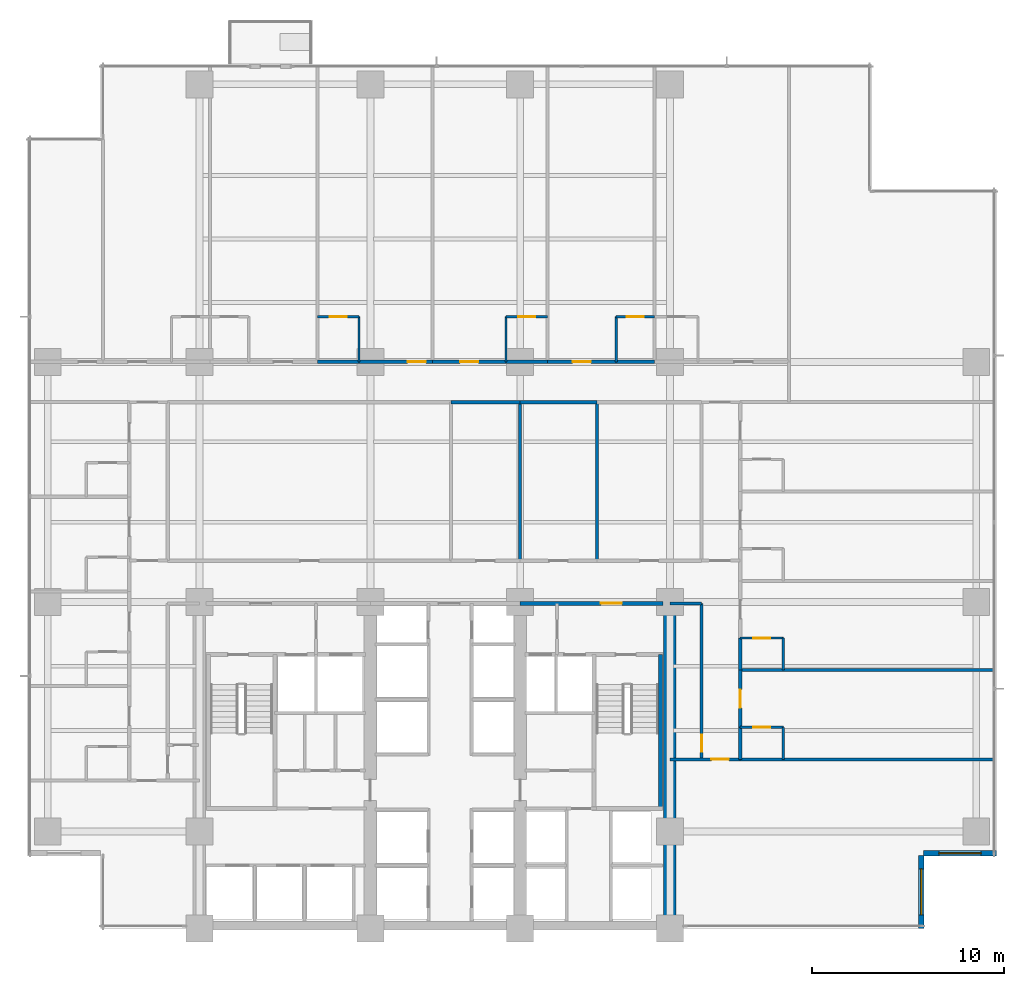
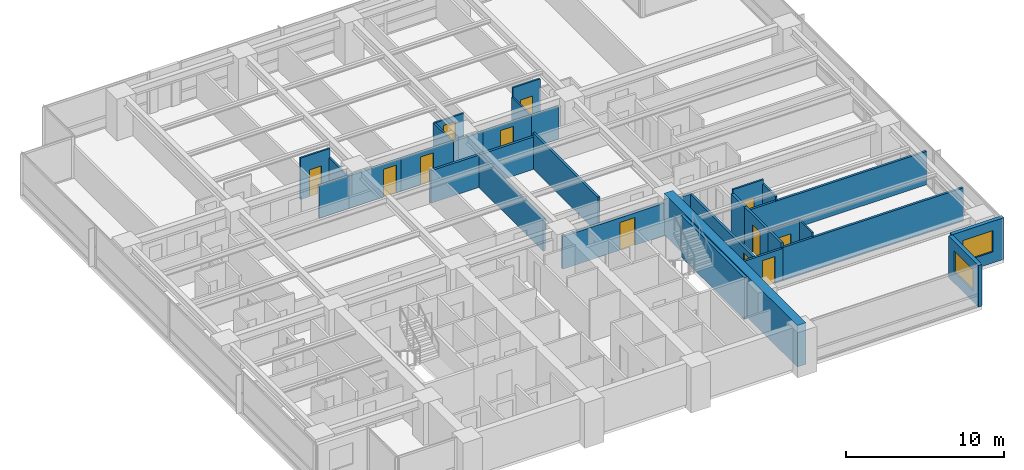
# One storey, part 10 of 16: 33 walls, 12 doors, 2 windows, 14 openings.
"""IFC4 building model written with IfcOpenShell, lengths in metres."""

from ifc_helpers import new_model, si_unit, direction, frame, frame_2d, origin, place, context, subcontext, project, spatial, rectangle, extrude, material, layer, layer_set, type_object, element, fill, save


model = new_model("IFC4")

# Units and contexts
model_context = context("Model", 3, precision=1e-05, world=origin(), true_north=direction((0.0, 1.0)))
body_context = subcontext(model_context, "Body", "Model", "MODEL_VIEW")
ifc_project = project(units=[si_unit("LENGTHUNIT", "METRE"), si_unit("AREAUNIT", "SQUARE_METRE"), si_unit("VOLUMEUNIT", "CUBIC_METRE"), si_unit("PLANEANGLEUNIT", "RADIAN"), si_unit("MASSUNIT", "GRAM", prefix="KILO")], contexts=[model_context])

# Site, building, storey
site_placement = place(None, origin())
site = spatial("IfcSite", under=ifc_project, at=site_placement, CompositionType="ELEMENT")
building_placement = place(site_placement, origin())
building = spatial("IfcBuilding", under=site, at=building_placement, Name="Qalmaran Belvedere Hotel", CompositionType="ELEMENT")
storey_placement = place(building_placement, frame((0.0, 0.0, 57.89990234375)))
storey = spatial("IfcBuildingStorey", under=building, at=storey_placement, Name="L14", CompositionType="ELEMENT", Elevation=57.89990234375)

# Wall
ifc_material_1 = material(Name="Concrete C60/75", Category="concrete")
ifc_layer_1 = layer(ifc_material_1, 0.64990234375, Name="Concrete C60/75")
ifc_layer_set_1 = layer_set([ifc_layer_1], Name="Concrete C60/75")
wall_type_1 = type_object("IfcWallType", Name="WL-CORE-650-C60", PredefinedType="SHEAR", material=ifc_layer_set_1)
wall_1_placement = place(storey_placement, frame((44.800048828125, 3.5, 0.0), z_axis=(0.0, 0.0, 1.0), x_axis=(0.0, 1.0, 0.0)))
element("IfcWall", 1, at=wall_1_placement, inside=storey, type_object=wall_type_1, Name="L14 East Core Shear Wall", PredefinedType="SHEAR", context=body_context, shape_type="SweptSolid", body=[
    extrude(rectangle(XDim=16.89990234375, YDim=0.64990234375, at=frame_2d((8.449951171875, 0.0))), origin(), (0.0, 0.0, 1.0), 3.22021484375),
])

# Wall, opening, window
ifc_material_2 = material(Name="Anodised Bronze Cladding")
ifc_layer_2 = layer(ifc_material_2, 0.280029296875, Name="Anodised Bronze Cladding")
ifc_layer_set_2 = layer_set([ifc_layer_2], Name="Anodised Bronze Cladding")
wall_type_2 = type_object("IfcWallType", Name="WL-EXT-BRNZ-280", PredefinedType="SOLIDWALL", material=ifc_layer_set_2)
wall_2_placement = place(storey_placement, frame((57.8798828125, 3.5, 0.0), z_axis=(0.0, 0.0, 1.0), x_axis=(0.0, 1.0, 0.0)))
wall_2 = element("IfcWall", 2, at=wall_2_placement, inside=storey, type_object=wall_type_2, Name="L14 Corner Notch Wall 1", PredefinedType="SOLIDWALL", context=body_context, shape_type="SweptSolid", body=[
    extrude(rectangle(XDim=3.800048828125, YDim=0.280029296875, at=frame_2d((1.89990234375, 0.0))), origin(), (0.0, 0.0, 1.0), 3.22021484375),
])
opening_1_placement = place(wall_2_placement, frame((0.699951171875, 0.0, 0.85009765625)))
opening_1 = element("IfcOpeningElement", 3, at=opening_1_placement, cuts=wall_2, Name="Opening W-N24", PredefinedType="OPENING", context=body_context, shape_type="SweptSolid", body=[
    extrude(rectangle(XDim=2.39990234375, YDim=1.64990234375, at=frame_2d((1.199951171875, 0.824951171875))), frame((0.0, 0.14990234375, 0.0), z_axis=(0.0, -1.0, 0.0), x_axis=(1.0, 0.0, 0.0)), (0.0, 0.0, 1.0), 0.300048828125),
])
ifc_material_3 = material(Name="Solar-Control Double Glazing", Category="glass")
window_type_1 = type_object("IfcWindowType", Name="WN-NTC-2400X1650", PartitioningType="SINGLE_PANEL", PredefinedType="WINDOW", material=ifc_material_3)
window_1_placement = place(opening_1_placement, origin())
window_1 = element("IfcWindow", 4, at=window_1_placement, inside=storey, type_object=window_type_1, Name="L14 Corner Notch Window 1", OverallHeight=1.64990234375, OverallWidth=2.39990234375, PartitioningType="SINGLE_PANEL", PredefinedType="WINDOW", context=body_context, shape_type="SweptSolid", body=[
    extrude(rectangle(XDim=2.39990234375, YDim=1.64990234375, at=frame_2d((1.199951171875, 0.824951171875))), frame((0.0, 0.030029296875, 0.0), z_axis=(0.0, -1.0, 0.0), x_axis=(1.0, 0.0, 0.0)), (0.0, 0.0, 1.0), 0.06005859375),
])
fill(opening_1, window_1)

wall_3_placement = place(storey_placement, frame((58.0, 7.419921875, 0.0), z_axis=(0.0, 0.0, 1.0), x_axis=(1.0, 0.0, 0.0)))
wall_3 = element("IfcWall", 5, at=wall_3_placement, inside=storey, type_object=wall_type_2, Name="L14 Corner Notch Wall 2", PredefinedType="SOLIDWALL", context=body_context, shape_type="SweptSolid", body=[
    extrude(rectangle(XDim=3.800048828125, YDim=0.280029296875, at=frame_2d((1.89990234375, 0.0))), origin(), (0.0, 0.0, 1.0), 3.22021484375),
])
opening_2_placement = place(wall_3_placement, frame((0.800048828125, 0.0, 0.85009765625)))
opening_2 = element("IfcOpeningElement", 6, at=opening_2_placement, cuts=wall_3, Name="Opening W-N22", PredefinedType="OPENING", context=body_context, shape_type="SweptSolid", body=[
    extrude(rectangle(XDim=2.199951171875, YDim=1.64990234375, at=frame_2d((1.10009765625, 0.824951171875))), frame((0.0, 0.14990234375, 0.0), z_axis=(0.0, -1.0, 0.0), x_axis=(1.0, 0.0, 0.0)), (0.0, 0.0, 1.0), 0.300048828125),
])
window_type_2 = type_object("IfcWindowType", Name="WN-NTC-2200X1650", PartitioningType="SINGLE_PANEL", PredefinedType="WINDOW", material=ifc_material_3)
window_2_placement = place(opening_2_placement, origin())
window_2 = element("IfcWindow", 7, at=window_2_placement, inside=storey, type_object=window_type_2, Name="L14 Corner Notch Window 2", OverallHeight=1.64990234375, OverallWidth=2.199951171875, PartitioningType="SINGLE_PANEL", PredefinedType="WINDOW", context=body_context, shape_type="SweptSolid", body=[
    extrude(rectangle(XDim=2.199951171875, YDim=1.64990234375, at=frame_2d((1.10009765625, 0.824951171875))), frame((0.0, 0.030029296875, 0.0), z_axis=(0.0, -1.0, 0.0), x_axis=(1.0, 0.0, 0.0)), (0.0, 0.0, 1.0), 0.06005859375),
])
fill(opening_2, window_2)

# Wall, opening, door
ifc_material_4 = material(Name="Moisture-Resistant Gypsum")
ifc_layer_3 = layer(ifc_material_4, 0.1201171875, Name="Moisture-Resistant Gypsum")
ifc_layer_set_3 = layer_set([ifc_layer_3], Name="Moisture-Resistant Gypsum")
wall_type_3 = type_object("IfcWallType", Name="WL-INT-120-BATH", PredefinedType="PARTITIONING", material=ifc_layer_set_3)
wall_4_placement = place(storey_placement, frame((26.44482421875, 35.35009765625, 0.0), z_axis=(0.0, 0.0, 1.0), x_axis=(1.0, 0.0, 0.0)))
wall_4 = element("IfcWall", 8, at=wall_4_placement, inside=storey, type_object=wall_type_3, Name="L14 Partition WL-L14-NBN02", PredefinedType="PARTITIONING", context=body_context, shape_type="SweptSolid", body=[
    extrude(rectangle(XDim=2.159912109375, YDim=0.1201171875, at=frame_2d((1.080078125, 0.0))), origin(), (0.0, 0.0, 1.0), 3.22021484375),
])
opening_3_placement = place(wall_4_placement, frame((1.519775390625, 0.0, 0.0), z_axis=(0.0, 0.0, 1.0), x_axis=(-1.0, 0.0, 0.0)))
opening_3 = element("IfcOpeningElement", 9, at=opening_3_placement, cuts=wall_4, Name="Opening D-BATH", PredefinedType="OPENING", context=body_context, shape_type="SweptSolid", body=[
    extrude(rectangle(XDim=0.8798828125, YDim=2.080078125, at=frame_2d((0.43994140625, 1.0400390625))), frame((0.0, 0.070068359375, 0.0), z_axis=(0.0, -1.0, 0.0), x_axis=(1.0, 0.0, 0.0)), (0.0, 0.0, 1.0), 0.14013671875),
])
ifc_material_5 = material(Name="Engineered Oak Veneer")
door_type_1 = type_object("IfcDoorType", Name="DR-INT-BATH-880X2080", OperationType="NOTDEFINED", PredefinedType="DOOR", material=ifc_material_5)
door_1_placement = place(opening_3_placement, origin())
door_1 = element("IfcDoor", 10, at=door_1_placement, inside=storey, type_object=door_type_1, Name="L14 Ensuite Bathroom Door N03", OperationType="SINGLE_SWING_LEFT", OverallHeight=2.080078125, OverallWidth=0.8798828125, PredefinedType="DOOR", context=body_context, shape_type="SweptSolid", body=[
    extrude(rectangle(XDim=0.8798828125, YDim=2.080078125, at=frame_2d((0.43994140625, 1.0400390625))), frame((0.0, 0.02490234375, 0.0), z_axis=(0.0, -1.0, 0.0), x_axis=(1.0, 0.0, 0.0)), (0.0, 0.0, 1.0), 0.050048828125),
])
fill(opening_3, door_1)

# Wall
wall_5_placement = place(storey_placement, frame((28.604736328125, 33.0, 0.0), z_axis=(0.0, 0.0, 1.0), x_axis=(0.0, 1.0, 0.0)))
element("IfcWall", 11, at=wall_5_placement, inside=storey, type_object=wall_type_3, Name="L14 Partition WL-L14-NBS02", PredefinedType="PARTITIONING", context=body_context, shape_type="SweptSolid", body=[
    extrude(rectangle(XDim=2.35009765625, YDim=0.1201171875, at=frame_2d((1.175048828125, 0.0))), origin(), (0.0, 0.0, 1.0), 2.510009765625),
])

# Wall, opening, door
wall_6_placement = place(storey_placement, frame((36.2578125, 35.35009765625, 0.0), z_axis=(0.0, 0.0, 1.0), x_axis=(1.0, 0.0, 0.0)))
wall_6 = element("IfcWall", 12, at=wall_6_placement, inside=storey, type_object=wall_type_3, Name="L14 Partition WL-L14-NBN03", PredefinedType="PARTITIONING", context=body_context, shape_type="SweptSolid", body=[
    extrude(rectangle(XDim=2.159912109375, YDim=0.1201171875, at=frame_2d((1.080078125, 0.0))), origin(), (0.0, 0.0, 1.0), 2.510009765625),
])
opening_4_placement = place(wall_6_placement, frame((1.519775390625, 0.0, 0.0), z_axis=(0.0, 0.0, 1.0), x_axis=(-1.0, 0.0, 0.0)))
opening_4 = element("IfcOpeningElement", 13, at=opening_4_placement, cuts=wall_6, Name="Opening D-BATH", PredefinedType="OPENING", context=body_context, shape_type="SweptSolid", body=[
    extrude(rectangle(XDim=0.8798828125, YDim=2.080078125, at=frame_2d((0.43994140625, 1.0400390625))), frame((0.0, 0.070068359375, 0.0), z_axis=(0.0, -1.0, 0.0), x_axis=(1.0, 0.0, 0.0)), (0.0, 0.0, 1.0), 0.14013671875),
])
door_2_placement = place(opening_4_placement, origin())
door_2 = element("IfcDoor", 14, at=door_2_placement, inside=storey, type_object=door_type_1, Name="L14 Ensuite Bathroom Door N04", OperationType="SINGLE_SWING_LEFT", OverallHeight=2.080078125, OverallWidth=0.8798828125, PredefinedType="DOOR", context=body_context, shape_type="SweptSolid", body=[
    extrude(rectangle(XDim=0.8798828125, YDim=2.080078125, at=frame_2d((0.43994140625, 1.0400390625))), frame((0.0, 0.02490234375, 0.0), z_axis=(0.0, -1.0, 0.0), x_axis=(1.0, 0.0, 0.0)), (0.0, 0.0, 1.0), 0.050048828125),
])
fill(opening_4, door_2)

# Wall
wall_7_placement = place(storey_placement, frame((36.2578125, 33.0, 0.0), z_axis=(0.0, 0.0, 1.0), x_axis=(0.0, 1.0, 0.0)))
element("IfcWall", 15, at=wall_7_placement, inside=storey, type_object=wall_type_3, Name="L14 Partition WL-L14-NBS03", PredefinedType="PARTITIONING", context=body_context, shape_type="SweptSolid", body=[
    extrude(rectangle(XDim=2.35009765625, YDim=0.1201171875, at=frame_2d((1.175048828125, 0.0))), origin(), (0.0, 0.0, 1.0), 2.510009765625),
])

# Wall, opening, door
wall_8_placement = place(storey_placement, frame((41.9951171875, 35.35009765625, 0.0), z_axis=(0.0, 0.0, 1.0), x_axis=(1.0, 0.0, 0.0)))
wall_8 = element("IfcWall", 16, at=wall_8_placement, inside=storey, type_object=wall_type_3, Name="L14 Partition WL-L14-NBN04", PredefinedType="PARTITIONING", context=body_context, shape_type="SweptSolid", body=[
    extrude(rectangle(XDim=2.010009765625, YDim=0.1201171875, at=frame_2d((1.0048828125, 0.0))), origin(), (0.0, 0.0, 1.0), 3.22021484375),
])
opening_5_placement = place(wall_8_placement, frame((1.44482421875, 0.0, 0.0), z_axis=(0.0, 0.0, 1.0), x_axis=(-1.0, 0.0, 0.0)))
opening_5 = element("IfcOpeningElement", 17, at=opening_5_placement, cuts=wall_8, Name="Opening D-BATH", PredefinedType="OPENING", context=body_context, shape_type="SweptSolid", body=[
    extrude(rectangle(XDim=0.8798828125, YDim=2.080078125, at=frame_2d((0.43994140625, 1.0400390625))), frame((0.0, 0.070068359375, 0.0), z_axis=(0.0, -1.0, 0.0), x_axis=(1.0, 0.0, 0.0)), (0.0, 0.0, 1.0), 0.14013671875),
])
door_3_placement = place(opening_5_placement, origin())
door_3 = element("IfcDoor", 18, at=door_3_placement, inside=storey, type_object=door_type_1, Name="L14 Ensuite Bathroom Door N05", OperationType="SINGLE_SWING_LEFT", OverallHeight=2.080078125, OverallWidth=0.8798828125, PredefinedType="DOOR", context=body_context, shape_type="SweptSolid", body=[
    extrude(rectangle(XDim=0.8798828125, YDim=2.080078125, at=frame_2d((0.43994140625, 1.0400390625))), frame((0.0, 0.02490234375, 0.0), z_axis=(0.0, -1.0, 0.0), x_axis=(1.0, 0.0, 0.0)), (0.0, 0.0, 1.0), 0.050048828125),
])
fill(opening_5, door_3)

# Wall
wall_9_placement = place(storey_placement, frame((41.9951171875, 33.0, 0.0), z_axis=(0.0, 0.0, 1.0), x_axis=(0.0, 1.0, 0.0)))
element("IfcWall", 19, at=wall_9_placement, inside=storey, type_object=wall_type_3, Name="L14 Partition WL-L14-NBS04", PredefinedType="PARTITIONING", context=body_context, shape_type="SweptSolid", body=[
    extrude(rectangle(XDim=2.35009765625, YDim=0.1201171875, at=frame_2d((1.175048828125, 0.0))), origin(), (0.0, 0.0, 1.0), 2.510009765625),
])

# Wall, opening, door
wall_10_placement = place(storey_placement, frame((48.449951171875, 13.969970703125, 0.0), z_axis=(0.0, 0.0, 1.0), x_axis=(1.0, 0.0, 0.0)))
wall_10 = element("IfcWall", 20, at=wall_10_placement, inside=storey, type_object=wall_type_3, Name="L14 Partition WL-L14-EBN00", PredefinedType="PARTITIONING", context=body_context, shape_type="SweptSolid", body=[
    extrude(rectangle(XDim=2.25, YDim=0.1201171875, at=frame_2d((1.125, 0.0))), origin(), (0.0, 0.0, 1.0), 2.902099609375),
])
opening_6_placement = place(wall_10_placement, frame((1.56494140625, 0.0, 0.0), z_axis=(0.0, 0.0, 1.0), x_axis=(-1.0, 0.0, 0.0)))
opening_6 = element("IfcOpeningElement", 21, at=opening_6_placement, cuts=wall_10, Name="Opening D-BATH", PredefinedType="OPENING", context=body_context, shape_type="SweptSolid", body=[
    extrude(rectangle(XDim=0.8798828125, YDim=2.080078125, at=frame_2d((0.43994140625, 1.0400390625))), frame((0.0, 0.070068359375, 0.0), z_axis=(0.0, -1.0, 0.0), x_axis=(1.0, 0.0, 0.0)), (0.0, 0.0, 1.0), 0.14013671875),
])
door_4_placement = place(opening_6_placement, origin())
door_4 = element("IfcDoor", 22, at=door_4_placement, inside=storey, type_object=door_type_1, Name="L14 E Ensuite Door 01", OperationType="SINGLE_SWING_LEFT", OverallHeight=2.080078125, OverallWidth=0.8798828125, PredefinedType="DOOR", context=body_context, shape_type="SweptSolid", body=[
    extrude(rectangle(XDim=0.8798828125, YDim=2.080078125, at=frame_2d((0.43994140625, 1.0400390625))), frame((0.0, 0.02490234375, 0.0), z_axis=(0.0, -1.0, 0.0), x_axis=(1.0, 0.0, 0.0)), (0.0, 0.0, 1.0), 0.050048828125),
])
fill(opening_6, door_4)

# Wall
wall_11_placement = place(storey_placement, frame((50.699951171875, 12.300048828125, 0.0), z_axis=(0.0, 0.0, 1.0), x_axis=(0.0, 1.0, 0.0)))
element("IfcWall", 23, at=wall_11_placement, inside=storey, type_object=wall_type_3, Name="L14 Partition WL-L14-EBS00", PredefinedType="PARTITIONING", context=body_context, shape_type="SweptSolid", body=[
    extrude(rectangle(XDim=1.669921875, YDim=0.1201171875, at=frame_2d((0.8349609375, 0.0))), origin(), (0.0, 0.0, 1.0), 2.902099609375),
])

# Wall, opening, door
wall_12_placement = place(storey_placement, frame((48.449951171875, 18.6201171875, 0.0), z_axis=(0.0, 0.0, 1.0), x_axis=(1.0, 0.0, 0.0)))
wall_12 = element("IfcWall", 24, at=wall_12_placement, inside=storey, type_object=wall_type_3, Name="L14 Partition WL-L14-EBN01", PredefinedType="PARTITIONING", context=body_context, shape_type="SweptSolid", body=[
    extrude(rectangle(XDim=2.25, YDim=0.1201171875, at=frame_2d((1.125, 0.0))), origin(), (0.0, 0.0, 1.0), 3.22021484375),
])
opening_7_placement = place(wall_12_placement, frame((1.56494140625, 0.0, 0.0), z_axis=(0.0, 0.0, 1.0), x_axis=(-1.0, 0.0, 0.0)))
opening_7 = element("IfcOpeningElement", 25, at=opening_7_placement, cuts=wall_12, Name="Opening D-BATH", PredefinedType="OPENING", context=body_context, shape_type="SweptSolid", body=[
    extrude(rectangle(XDim=0.8798828125, YDim=2.080078125, at=frame_2d((0.43994140625, 1.0400390625))), frame((0.0, 0.070068359375, 0.0), z_axis=(0.0, -1.0, 0.0), x_axis=(1.0, 0.0, 0.0)), (0.0, 0.0, 1.0), 0.14013671875),
])
door_5_placement = place(opening_7_placement, origin())
door_5 = element("IfcDoor", 26, at=door_5_placement, inside=storey, type_object=door_type_1, Name="L14 E Ensuite Door 02", OperationType="SINGLE_SWING_LEFT", OverallHeight=2.080078125, OverallWidth=0.8798828125, PredefinedType="DOOR", context=body_context, shape_type="SweptSolid", body=[
    extrude(rectangle(XDim=0.8798828125, YDim=2.080078125, at=frame_2d((0.43994140625, 1.0400390625))), frame((0.0, 0.02490234375, 0.0), z_axis=(0.0, -1.0, 0.0), x_axis=(1.0, 0.0, 0.0)), (0.0, 0.0, 1.0), 0.050048828125),
])
fill(opening_7, door_5)

# Wall
wall_13_placement = place(storey_placement, frame((50.699951171875, 16.949951171875, 0.0), z_axis=(0.0, 0.0, 1.0), x_axis=(0.0, 1.0, 0.0)))
element("IfcWall", 27, at=wall_13_placement, inside=storey, type_object=wall_type_3, Name="L14 Partition WL-L14-EBS01", PredefinedType="PARTITIONING", context=body_context, shape_type="SweptSolid", body=[
    extrude(rectangle(XDim=1.670166015625, YDim=0.1201171875, at=frame_2d((0.8349609375, 0.0))), origin(), (0.0, 0.0, 1.0), 2.902099609375),
])

# Wall, opening, door
ifc_material_6 = material(Name="Gypsum Stud Partition")
ifc_layer_4 = layer(ifc_material_6, 0.159912109375, Name="Gypsum Stud Partition")
ifc_layer_set_4 = layer_set([ifc_layer_4], Name="Gypsum Stud Partition")
wall_type_4 = type_object("IfcWallType", Name="WL-INT-160-EI60", PredefinedType="PARTITIONING", material=ifc_layer_set_4)
wall_14_placement = place(storey_placement, frame((44.800048828125, 12.300048828125, 0.0), z_axis=(0.0, 0.0, 1.0), x_axis=(1.0, 0.0, 0.0)))
wall_14 = element("IfcWall", 28, at=wall_14_placement, inside=storey, type_object=wall_type_4, Name="L14 Partition WL-L14-SERL", PredefinedType="PARTITIONING", context=body_context, shape_type="SweptSolid", body=[
    extrude(rectangle(XDim=3.64990234375, YDim=0.159912109375, at=frame_2d((1.824951171875, 0.0))), origin(), (0.0, 0.0, 1.0), 2.510009765625),
])
opening_8_placement = place(wall_14_placement, frame((3.06982421875, 0.0, 0.0), z_axis=(0.0, 0.0, 1.0), x_axis=(-1.0, 0.0, 0.0)))
opening_8 = element("IfcOpeningElement", 29, at=opening_8_placement, cuts=wall_14, Name="Opening FD60S1", PredefinedType="OPENING", context=body_context, shape_type="SweptSolid", body=[
    extrude(rectangle(XDim=0.919921875, YDim=2.080078125, at=frame_2d((0.4599609375, 1.0400390625))), frame((0.0, 0.08984375, 0.0), z_axis=(0.0, -1.0, 0.0), x_axis=(1.0, 0.0, 0.0)), (0.0, 0.0, 1.0), 0.179931640625),
])
door_type_2 = type_object("IfcDoorType", Name="DR-FD60S-920X2080", OperationType="NOTDEFINED", PredefinedType="DOOR", material=ifc_material_5)
door_6_placement = place(opening_8_placement, origin())
door_6 = element("IfcDoor", 30, at=door_6_placement, inside=storey, type_object=door_type_2, Name="L14 SE Lounge Door", OperationType="SINGLE_SWING_RIGHT", OverallHeight=2.080078125, OverallWidth=0.919921875, PredefinedType="DOOR", context=body_context, shape_type="SweptSolid", body=[
    extrude(rectangle(XDim=0.919921875, YDim=2.080078125, at=frame_2d((0.4599609375, 1.0400390625))), frame((0.0, 0.02490234375, 0.0), z_axis=(0.0, -1.0, 0.0), x_axis=(1.0, 0.0, 0.0)), (0.0, 0.0, 1.0), 0.050048828125),
])
fill(opening_8, door_6)

wall_15_placement = place(storey_placement, frame((46.449951171875, 12.300048828125, 0.0), z_axis=(0.0, 0.0, 1.0), x_axis=(0.0, 1.0, 0.0)))
wall_15 = element("IfcWall", 31, at=wall_15_placement, inside=storey, type_object=wall_type_4, Name="L14 Partition WL-L14-ECL", PredefinedType="PARTITIONING", context=body_context, shape_type="SweptSolid", body=[
    extrude(rectangle(XDim=8.119873046875, YDim=0.159912109375, at=frame_2d((4.06005859375, 0.0))), origin(), (0.0, 0.0, 1.0), 2.510009765625),
])
opening_9_placement = place(wall_15_placement, frame((0.39990234375, 0.0, 0.0)))
opening_9 = element("IfcOpeningElement", 32, at=opening_9_placement, cuts=wall_15, Name="Opening FD60B", PredefinedType="OPENING", context=body_context, shape_type="SweptSolid", body=[
    extrude(rectangle(XDim=0.8798828125, YDim=2.080078125, at=frame_2d((0.43994140625, 1.0400390625))), frame((0.0, 0.08984375, 0.0), z_axis=(0.0, -1.0, 0.0), x_axis=(1.0, 0.0, 0.0)), (0.0, 0.0, 1.0), 0.179931640625),
])
ifc_material_7 = material(Name="Steel S355JR", Category="steel")
door_type_3 = type_object("IfcDoorType", Name="DR-FD60B-880X2080", OperationType="NOTDEFINED", PredefinedType="DOOR", material=ifc_material_7)
door_7_placement = place(opening_9_placement, origin())
door_7 = element("IfcDoor", 33, at=door_7_placement, inside=storey, type_object=door_type_3, Name="L14 East Closet Door", OperationType="SINGLE_SWING_RIGHT", OverallHeight=2.080078125, OverallWidth=0.8798828125, PredefinedType="DOOR", context=body_context, shape_type="SweptSolid", body=[
    extrude(rectangle(XDim=0.8798828125, YDim=2.080078125, at=frame_2d((0.43994140625, 1.0400390625))), frame((0.0, 0.02490234375, 0.0), z_axis=(0.0, -1.0, 0.0), x_axis=(1.0, 0.0, 0.0)), (0.0, 0.0, 1.0), 0.050048828125),
])
fill(opening_9, door_7)

# Walls
wall_16_placement = place(storey_placement, frame((44.800048828125, 20.419921875, 0.0), z_axis=(0.0, 0.0, 1.0), x_axis=(1.0, 0.0, 0.0)))
element("IfcWall", 34, at=wall_16_placement, inside=storey, type_object=wall_type_4, Name="L14 Partition WL-L14-ECLN", PredefinedType="PARTITIONING", context=body_context, shape_type="SweptSolid", body=[
    extrude(rectangle(XDim=1.64990234375, YDim=0.159912109375, at=frame_2d((0.824951171875, 0.0))), origin(), (0.0, 0.0, 1.0), 2.510009765625),
])
wall_17_placement = place(storey_placement, frame((37.0, 22.64990234375, 0.0), z_axis=(0.0, 0.0, 1.0), x_axis=(0.0, 1.0, 0.0)))
element("IfcWall", 35, at=wall_17_placement, inside=storey, type_object=wall_type_4, Name="L14 Partition WL-L14-MIDVR2", PredefinedType="PARTITIONING", context=body_context, shape_type="SweptSolid", body=[
    extrude(rectangle(XDim=8.25, YDim=0.159912109375, at=frame_2d((4.125, 0.0))), origin(), (0.0, 0.0, 1.0), 2.510009765625),
])
wall_18_placement = place(storey_placement, frame((41.0, 22.64990234375, 0.0), z_axis=(0.0, 0.0, 1.0), x_axis=(0.0, 1.0, 0.0)))
element("IfcWall", 36, at=wall_18_placement, inside=storey, type_object=wall_type_4, Name="L14 Partition WL-L14-MIDVR3", PredefinedType="PARTITIONING", context=body_context, shape_type="SweptSolid", body=[
    extrude(rectangle(XDim=8.25, YDim=0.159912109375, at=frame_2d((4.125, 0.0))), origin(), (0.0, 0.0, 1.0), 2.7880859375),
])
for number, where, z_axis, x_axis, name in (
    (37, (48.449951171875, 12.300048828125, 0.0), (0.0, 0.0, 1.0), (1.0, 0.0, 0.0), "L14 Partition WL-L14-EBOT"),
    (38, (48.449951171875, 16.949951171875, 0.0), (0.0, 0.0, 1.0), (1.0, 0.0, 0.0), "L14 Partition WL-L14-EU00"),
):
    element("IfcWall", number, at=place(storey_placement, frame(where, z_axis=z_axis, x_axis=x_axis)), inside=storey, type_object=wall_type_4, Name=name, PredefinedType="PARTITIONING", context=body_context, shape_type="SweptSolid", body=[
        extrude(rectangle(XDim=13.22998046875, YDim=0.159912109375, at=frame_2d((6.614990234375, 0.0))), origin(), (0.0, 0.0, 1.0), 2.5830078125),
    ])
ifc_layer_5 = layer(ifc_material_6, 0.179931640625, Name="Gypsum Stud Partition")
ifc_layer_set_5 = layer_set([ifc_layer_5], Name="Gypsum Stud Partition")
wall_type_5 = type_object("IfcWallType", Name="WL-INT-180-EI60", PredefinedType="PARTITIONING", material=ifc_layer_set_5)
wall_19_placement = place(storey_placement, frame((33.39990234375, 30.89990234375, 0.0), z_axis=(0.0, 0.0, 1.0), x_axis=(1.0, 0.0, 0.0)))
element("IfcWall", 39, at=wall_19_placement, inside=storey, type_object=wall_type_5, Name="L14 Partition WL-L14-MIDO2", PredefinedType="PARTITIONING", context=body_context, shape_type="SweptSolid", body=[
    extrude(rectangle(XDim=3.60009765625, YDim=0.179931640625, at=frame_2d((1.800048828125, 0.0))), origin(), (0.0, 0.0, 1.0), 2.510009765625),
])
wall_20_placement = place(storey_placement, frame((37.0, 30.89990234375, 0.0), z_axis=(0.0, 0.0, 1.0), x_axis=(1.0, 0.0, 0.0)))
element("IfcWall", 40, at=wall_20_placement, inside=storey, type_object=wall_type_5, Name="L14 Partition WL-L14-MIDO3", PredefinedType="PARTITIONING", context=body_context, shape_type="SweptSolid", body=[
    extrude(rectangle(XDim=4.0, YDim=0.179931640625, at=frame_2d((2.0, 0.0))), origin(), (0.0, 0.0, 1.0), 2.510009765625),
])
wall_21_placement = place(storey_placement, frame((26.44482421875, 33.0, 0.0), z_axis=(0.0, 0.0, 1.0), x_axis=(1.0, 0.0, 0.0)))
element("IfcWall", 41, at=wall_21_placement, inside=storey, type_object=wall_type_5, Name="L14 Partition WL-L14-NBC02", PredefinedType="PARTITIONING", context=body_context, shape_type="SweptSolid", body=[
    extrude(rectangle(XDim=2.159912109375, YDim=0.179931640625, at=frame_2d((1.080078125, 0.0))), origin(), (0.0, 0.0, 1.0), 2.510009765625),
])

# Wall, opening, door
wall_22_placement = place(storey_placement, frame((28.604736328125, 33.0, 0.0), z_axis=(0.0, 0.0, 1.0), x_axis=(1.0, 0.0, 0.0)))
wall_22 = element("IfcWall", 42, at=wall_22_placement, inside=storey, type_object=wall_type_5, Name="L14 Partition WL-L14-NEC02", PredefinedType="PARTITIONING", context=body_context, shape_type="SweptSolid", body=[
    extrude(rectangle(XDim=3.82666015625, YDim=0.179931640625, at=frame_2d((1.913330078125, 0.0))), origin(), (0.0, 0.0, 1.0), 2.510009765625),
])
opening_10_placement = place(wall_22_placement, frame((2.54052734375, 0.0, 0.0)))
opening_10 = element("IfcOpeningElement", 43, at=opening_10_placement, cuts=wall_22, Name="Opening FD60", PredefinedType="OPENING", context=body_context, shape_type="SweptSolid", body=[
    extrude(rectangle(XDim=0.949951171875, YDim=2.14990234375, at=frame_2d((0.47509765625, 1.074951171875))), frame((0.0, 0.10009765625, 0.0), z_axis=(0.0, -1.0, 0.0), x_axis=(1.0, 0.0, 0.0)), (0.0, 0.0, 1.0), 0.199951171875),
])
door_type_4 = type_object("IfcDoorType", Name="DR-FD60-950X2150", OperationType="NOTDEFINED", PredefinedType="DOOR", material=ifc_material_5)
door_8_placement = place(opening_10_placement, origin())
door_8 = element("IfcDoor", 44, at=door_8_placement, inside=storey, type_object=door_type_4, Name="L14 Guest Entrance Door N03", OperationType="SINGLE_SWING_RIGHT", OverallHeight=2.14990234375, OverallWidth=0.949951171875, PredefinedType="DOOR", context=body_context, shape_type="SweptSolid", body=[
    extrude(rectangle(XDim=0.949951171875, YDim=2.14990234375, at=frame_2d((0.47509765625, 1.074951171875))), frame((0.0, 0.02490234375, 0.0), z_axis=(0.0, -1.0, 0.0), x_axis=(1.0, 0.0, 0.0)), (0.0, 0.0, 1.0), 0.050048828125),
])
fill(opening_10, door_8)

# Wall
wall_23_placement = place(storey_placement, frame((36.2578125, 33.0, 0.0), z_axis=(0.0, 0.0, 1.0), x_axis=(1.0, 0.0, 0.0)))
element("IfcWall", 45, at=wall_23_placement, inside=storey, type_object=wall_type_5, Name="L14 Partition WL-L14-NBC03", PredefinedType="PARTITIONING", context=body_context, shape_type="SweptSolid", body=[
    extrude(rectangle(XDim=2.159912109375, YDim=0.179931640625, at=frame_2d((1.080078125, 0.0))), origin(), (0.0, 0.0, 1.0), 2.510009765625),
])

# Wall, opening, door
wall_24_placement = place(storey_placement, frame((32.431396484375, 33.0, 0.0), z_axis=(0.0, 0.0, 1.0), x_axis=(1.0, 0.0, 0.0)))
wall_24 = element("IfcWall", 46, at=wall_24_placement, inside=storey, type_object=wall_type_5, Name="L14 Partition WL-L14-NEC03", PredefinedType="PARTITIONING", context=body_context, shape_type="SweptSolid", body=[
    extrude(rectangle(XDim=3.826416015625, YDim=0.179931640625, at=frame_2d((1.9130859375, 0.0))), origin(), (0.0, 0.0, 1.0), 2.510009765625),
])
opening_11_placement = place(wall_24_placement, frame((1.438232421875, 0.0, 0.0)))
opening_11 = element("IfcOpeningElement", 47, at=opening_11_placement, cuts=wall_24, Name="Opening FD60", PredefinedType="OPENING", context=body_context, shape_type="SweptSolid", body=[
    extrude(rectangle(XDim=0.949951171875, YDim=2.14990234375, at=frame_2d((0.47509765625, 1.074951171875))), frame((0.0, 0.10009765625, 0.0), z_axis=(0.0, -1.0, 0.0), x_axis=(1.0, 0.0, 0.0)), (0.0, 0.0, 1.0), 0.199951171875),
])
door_9_placement = place(opening_11_placement, origin())
door_9 = element("IfcDoor", 48, at=door_9_placement, inside=storey, type_object=door_type_4, Name="L14 Guest Entrance Door N04", OperationType="SINGLE_SWING_RIGHT", OverallHeight=2.14990234375, OverallWidth=0.949951171875, PredefinedType="DOOR", context=body_context, shape_type="SweptSolid", body=[
    extrude(rectangle(XDim=0.949951171875, YDim=2.14990234375, at=frame_2d((0.47509765625, 1.074951171875))), frame((0.0, 0.02490234375, 0.0), z_axis=(0.0, -1.0, 0.0), x_axis=(1.0, 0.0, 0.0)), (0.0, 0.0, 1.0), 0.050048828125),
])
fill(opening_11, door_9)

# Wall
wall_25_placement = place(storey_placement, frame((41.9951171875, 33.0, 0.0), z_axis=(0.0, 0.0, 1.0), x_axis=(1.0, 0.0, 0.0)))
element("IfcWall", 49, at=wall_25_placement, inside=storey, type_object=wall_type_5, Name="L14 Partition WL-L14-NBC04", PredefinedType="PARTITIONING", context=body_context, shape_type="SweptSolid", body=[
    extrude(rectangle(XDim=2.010009765625, YDim=0.179931640625, at=frame_2d((1.0048828125, 0.0))), origin(), (0.0, 0.0, 1.0), 2.510009765625),
])

# Wall, opening, door
wall_26_placement = place(storey_placement, frame((38.417724609375, 33.0, 0.0), z_axis=(0.0, 0.0, 1.0), x_axis=(1.0, 0.0, 0.0)))
wall_26 = element("IfcWall", 50, at=wall_26_placement, inside=storey, type_object=wall_type_5, Name="L14 Partition WL-L14-NEC04", PredefinedType="PARTITIONING", context=body_context, shape_type="SweptSolid", body=[
    extrude(rectangle(XDim=3.577392578125, YDim=0.179931640625, at=frame_2d((1.78857421875, 0.0))), origin(), (0.0, 0.0, 1.0), 2.510009765625),
])
opening_12_placement = place(wall_26_placement, frame((1.313720703125, 0.0, 0.0)))
opening_12 = element("IfcOpeningElement", 51, at=opening_12_placement, cuts=wall_26, Name="Opening FD60", PredefinedType="OPENING", context=body_context, shape_type="SweptSolid", body=[
    extrude(rectangle(XDim=0.949951171875, YDim=2.14990234375, at=frame_2d((0.47509765625, 1.074951171875))), frame((0.0, 0.10009765625, 0.0), z_axis=(0.0, -1.0, 0.0), x_axis=(1.0, 0.0, 0.0)), (0.0, 0.0, 1.0), 0.199951171875),
])
door_10_placement = place(opening_12_placement, origin())
door_10 = element("IfcDoor", 52, at=door_10_placement, inside=storey, type_object=door_type_4, Name="L14 Guest Entrance Door N05", OperationType="SINGLE_SWING_RIGHT", OverallHeight=2.14990234375, OverallWidth=0.949951171875, PredefinedType="DOOR", context=body_context, shape_type="SweptSolid", body=[
    extrude(rectangle(XDim=0.949951171875, YDim=2.14990234375, at=frame_2d((0.47509765625, 1.074951171875))), frame((0.0, 0.02490234375, 0.0), z_axis=(0.0, -1.0, 0.0), x_axis=(1.0, 0.0, 0.0)), (0.0, 0.0, 1.0), 0.050048828125),
])
fill(opening_12, door_10)

# Wall
wall_27_placement = place(storey_placement, frame((48.449951171875, 12.300048828125, 0.0), z_axis=(0.0, 0.0, 1.0), x_axis=(0.0, 1.0, 0.0)))
element("IfcWall", 53, at=wall_27_placement, inside=storey, type_object=wall_type_5, Name="L14 Partition WL-L14-EBC00", PredefinedType="PARTITIONING", context=body_context, shape_type="SweptSolid", body=[
    extrude(rectangle(XDim=1.669921875, YDim=0.179931640625, at=frame_2d((0.8349609375, 0.0))), origin(), (0.0, 0.0, 1.0), 2.902099609375),
])

# Wall, opening, door
wall_28_placement = place(storey_placement, frame((48.449951171875, 13.969970703125, 0.0), z_axis=(0.0, 0.0, 1.0), x_axis=(0.0, 1.0, 0.0)))
wall_28 = element("IfcWall", 54, at=wall_28_placement, inside=storey, type_object=wall_type_5, Name="L14 Partition WL-L14-EEC00", PredefinedType="PARTITIONING", context=body_context, shape_type="SweptSolid", body=[
    extrude(rectangle(XDim=2.97998046875, YDim=0.179931640625, at=frame_2d((1.489990234375, 0.0))), origin(), (0.0, 0.0, 1.0), 2.902099609375),
])
opening_13_placement = place(wall_28_placement, frame((1.96484375, 0.0, 0.0), z_axis=(0.0, 0.0, 1.0), x_axis=(-1.0, 0.0, 0.0)))
opening_13 = element("IfcOpeningElement", 55, at=opening_13_placement, cuts=wall_28, Name="Opening FD60", PredefinedType="OPENING", context=body_context, shape_type="SweptSolid", body=[
    extrude(rectangle(XDim=0.949951171875, YDim=2.14990234375, at=frame_2d((0.47509765625, 1.074951171875))), frame((0.0, 0.10009765625, 0.0), z_axis=(0.0, -1.0, 0.0), x_axis=(1.0, 0.0, 0.0)), (0.0, 0.0, 1.0), 0.199951171875),
])
door_11_placement = place(opening_13_placement, origin())
door_11 = element("IfcDoor", 56, at=door_11_placement, inside=storey, type_object=door_type_4, Name="L14 E Wing Door 01", OperationType="SINGLE_SWING_RIGHT", OverallHeight=2.14990234375, OverallWidth=0.949951171875, PredefinedType="DOOR", context=body_context, shape_type="SweptSolid", body=[
    extrude(rectangle(XDim=0.949951171875, YDim=2.14990234375, at=frame_2d((0.47509765625, 1.074951171875))), frame((0.0, 0.02490234375, 0.0), z_axis=(0.0, -1.0, 0.0), x_axis=(1.0, 0.0, 0.0)), (0.0, 0.0, 1.0), 0.050048828125),
])
fill(opening_13, door_11)

# Wall
wall_29_placement = place(storey_placement, frame((48.449951171875, 16.949951171875, 0.0), z_axis=(0.0, 0.0, 1.0), x_axis=(0.0, 1.0, 0.0)))
element("IfcWall", 57, at=wall_29_placement, inside=storey, type_object=wall_type_5, Name="L14 Partition WL-L14-EBC01", PredefinedType="PARTITIONING", context=body_context, shape_type="SweptSolid", body=[
    extrude(rectangle(XDim=1.670166015625, YDim=0.179931640625, at=frame_2d((0.8349609375, 0.0))), origin(), (0.0, 0.0, 1.0), 2.902099609375),
])

# Wall, opening, door
ifc_material_8 = material(Name="Concrete C30/37 Blockwork", Category="masonry")
ifc_layer_6 = layer(ifc_material_8, 0.199951171875, Name="Concrete C30/37 Blockwork")
ifc_layer_set_6 = layer_set([ifc_layer_6], Name="Concrete C30/37 Blockwork")
wall_type_6 = type_object("IfcWallType", Name="WL-INT-200-EI120", PredefinedType="PARTITIONING", material=ifc_layer_set_6)
wall_30_placement = place(storey_placement, frame((37.0, 20.419921875, 0.0), z_axis=(0.0, 0.0, 1.0), x_axis=(1.0, 0.0, 0.0)))
wall_30 = element("IfcWall", 58, at=wall_30_placement, inside=storey, type_object=wall_type_6, Name="L14 Partition WL-CN3-L14", PredefinedType="PARTITIONING", context=body_context, shape_type="SweptSolid", body=[
    extrude(rectangle(XDim=7.449951171875, YDim=0.199951171875, at=frame_2d((3.72509765625, 0.0))), origin(), (0.0, 0.0, 1.0), 2.510009765625),
])
opening_14_placement = place(wall_30_placement, frame((4.199951171875, 0.0, 0.0)))
opening_14 = element("IfcOpeningElement", 59, at=opening_14_placement, cuts=wall_30, Name="Opening FD90", PredefinedType="OPENING", context=body_context, shape_type="SweptSolid", body=[
    extrude(rectangle(XDim=1.10009765625, YDim=2.14990234375, at=frame_2d((0.550048828125, 1.074951171875))), frame((0.0, 0.10986328125, 0.0), z_axis=(0.0, -1.0, 0.0), x_axis=(1.0, 0.0, 0.0)), (0.0, 0.0, 1.0), 0.219970703125),
])
door_type_5 = type_object("IfcDoorType", Name="DR-FD90-1100X2150", OperationType="NOTDEFINED", PredefinedType="DOOR", material=ifc_material_7)
door_12_placement = place(opening_14_placement, origin())
door_12 = element("IfcDoor", 60, at=door_12_placement, inside=storey, type_object=door_type_5, Name="L14 FF2 Lobby Corridor Door", OperationType="SINGLE_SWING_RIGHT", OverallHeight=2.14990234375, OverallWidth=1.10009765625, PredefinedType="DOOR", context=body_context, shape_type="SweptSolid", body=[
    extrude(rectangle(XDim=1.10009765625, YDim=2.14990234375, at=frame_2d((0.550048828125, 1.074951171875))), frame((0.0, 0.02490234375, 0.0), z_axis=(0.0, -1.0, 0.0), x_axis=(1.0, 0.0, 0.0)), (0.0, 0.0, 1.0), 0.050048828125),
])
fill(opening_14, door_12)

# Wall
ifc_material_9 = material(Name="Concrete C50/60", Category="concrete")
ifc_layer_7 = layer(ifc_material_9, 0.2099609375, Name="Concrete C50/60")
ifc_layer_set_7 = layer_set([ifc_layer_7], Name="Concrete C50/60")
wall_type_7 = type_object("IfcWallType", Name="WL-STAIR-210-C50", PredefinedType="SHEAR", material=ifc_layer_set_7)
wall_31_placement = place(storey_placement, frame((44.304931640625, 9.7451171875, 0.0), z_axis=(0.0, 0.0, 1.0), x_axis=(0.0, 1.0, 0.0)))
element("IfcWall", 61, at=wall_31_placement, inside=storey, type_object=wall_type_7, Name="L14 Stair ST-2 East Bearing Wall", PredefinedType="SHEAR", context=body_context, shape_type="SweptSolid", body=[
    extrude(rectangle(XDim=8.009765625, YDim=0.2099609375, at=frame_2d((4.0048828125, 0.0))), origin(), (0.0, 0.0, 1.0), 3.22021484375),
])

save(model, "model.ifc")
